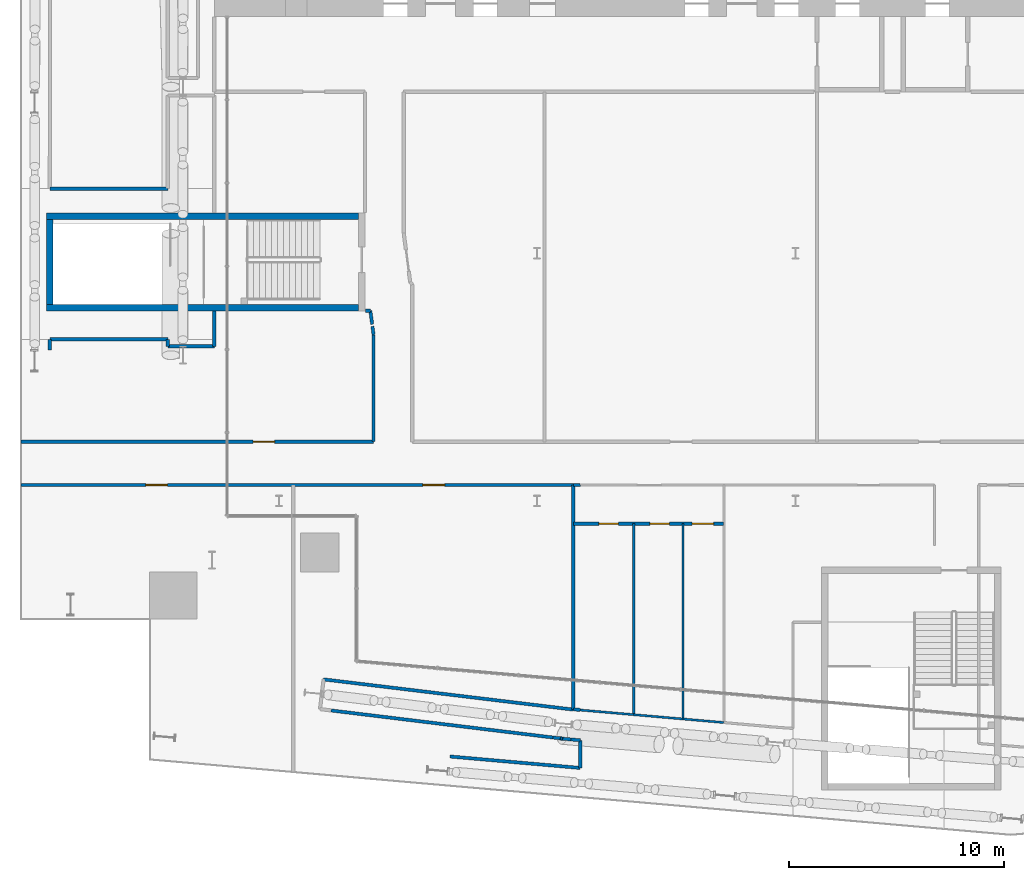
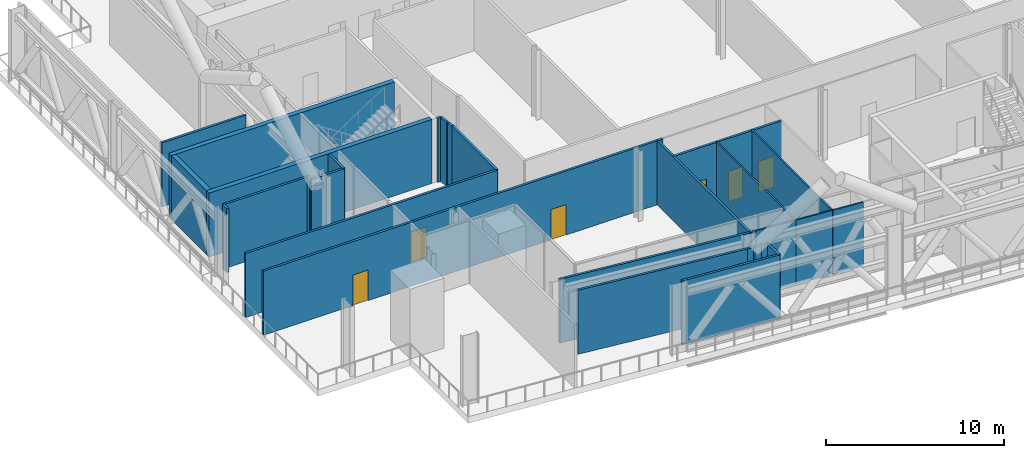
# One storey, part 15 of 39: 32 walls, 6 doors, 6 openings.
"""IFC4 building model written with IfcOpenShell, lengths in metres."""

from ifc_helpers import new_model, si_unit, direction, frame, frame_2d, origin, place, context, subcontext, project, spatial, rectangle, extrude, material, layer, layer_set, type_object, element, fill, save


model = new_model("IFC4")

# Units and contexts
model_context = context("Model", 3, precision=1e-05, world=origin(), true_north=direction((0.0, 1.0)))
body_context = subcontext(model_context, "Body", "Model", "MODEL_VIEW")
ifc_project = project(units=[si_unit("LENGTHUNIT", "METRE"), si_unit("AREAUNIT", "SQUARE_METRE"), si_unit("VOLUMEUNIT", "CUBIC_METRE"), si_unit("PLANEANGLEUNIT", "RADIAN"), si_unit("MASSUNIT", "GRAM", prefix="KILO")], contexts=[model_context])

# Site, building, storey
site_placement = place(None, origin())
site = spatial("IfcSite", under=ifc_project, at=site_placement, CompositionType="ELEMENT")
building_placement = place(site_placement, origin())
building = spatial("IfcBuilding", under=site, at=building_placement, Name="Wharfspan Tower", CompositionType="ELEMENT")
storey_placement = place(building_placement, frame((0.0, 0.0, 91.899902)))
storey = spatial("IfcBuildingStorey", under=building, at=storey_placement, Name="L20", CompositionType="ELEMENT", Elevation=91.899902)

# Walls
ifc_material_1 = material(Name="Gypsum board on steel studs", Category="steel")
ifc_layer_1 = layer(ifc_material_1, 0.100098)
ifc_layer_set_1 = layer_set([ifc_layer_1], Name="Gypsum board on steel studs")
wall_type_1 = type_object("IfcWallType", Name="Partition 100", PredefinedType="PARTITIONING", material=ifc_layer_set_1)
wall_1_placement = place(storey_placement, frame((28.485107, 1.564941, 0.0), z_axis=(0.0, 0.0, 1.0), x_axis=(-0.996271, 0.086228, 0.0)))
element("IfcWall", 1, at=wall_1_placement, inside=storey, type_object=wall_type_1, Name="Partition L20.w049", PredefinedType="PARTITIONING", context=body_context, shape_type="SweptSolid", body=[
    extrude(rectangle(XDim=2.494385, YDim=0.100098, at=frame_2d((1.24707, 0.0))), origin(), (0.0, 0.0, 1.0), 4.400146),
])
wall_2_placement = place(storey_placement, frame((28.485107, 1.564941, 0.0), z_axis=(0.0, 0.0, 1.0), x_axis=(0.0, 1.0, 0.0)))
element("IfcWall", 2, at=wall_2_placement, inside=storey, type_object=wall_type_1, Name="Partition L20.w050", PredefinedType="PARTITIONING", context=body_context, shape_type="SweptSolid", body=[
    extrude(rectangle(XDim=8.870117, YDim=0.100098, at=frame_2d((4.435059, 0.0))), origin(), (0.0, 0.0, 1.0), 4.400146),
])
wall_3_placement = place(storey_placement, frame((30.764893, 1.36499, 0.0), z_axis=(0.0, 0.0, 1.0), x_axis=(-0.996179, 0.087371, 0.0)))
element("IfcWall", 3, at=wall_3_placement, inside=storey, type_object=wall_type_1, Name="Partition L20.w051", PredefinedType="PARTITIONING", context=body_context, shape_type="SweptSolid", body=[
    extrude(rectangle(XDim=2.288574, YDim=0.100098, at=frame_2d((1.144287, 0.0))), origin(), (0.0, 0.0, 1.0), 4.400146),
])
wall_4_placement = place(storey_placement, frame((30.77002, 1.36499, 0.0), z_axis=(0.0, 0.0, 1.0), x_axis=(0.0, 1.0, 0.0)))
element("IfcWall", 4, at=wall_4_placement, inside=storey, type_object=wall_type_1, Name="Partition L20.w052", PredefinedType="PARTITIONING", context=body_context, shape_type="SweptSolid", body=[
    extrude(rectangle(XDim=9.070068, YDim=0.100098, at=frame_2d((4.535156, 0.0))), origin(), (0.0, 0.0, 1.0), 4.400146),
])
wall_5_placement = place(storey_placement, frame((32.665039, 1.199951, 0.0), z_axis=(0.0, 0.0, 1.0), x_axis=(-0.996233, 0.086763, 0.0)))
element("IfcWall", 5, at=wall_5_placement, inside=storey, type_object=wall_type_1, Name="Partition L20.w053", PredefinedType="PARTITIONING", context=body_context, shape_type="SweptSolid", body=[
    extrude(rectangle(XDim=1.9021, YDim=0.100098, at=frame_2d((0.951172, 0.0))), origin(), (0.0, 0.0, 1.0), 4.400146),
])

# Wall, openings, doors
ifc_layer_2 = layer(ifc_material_1, 0.149902)
ifc_layer_set_2 = layer_set([ifc_layer_2], Name="Gypsum board on steel studs")
wall_type_2 = type_object("IfcWallType", Name="Plant room wall 150 EI 120", PredefinedType="PARTITIONING", material=ifc_layer_set_2)
wall_6_placement = place(storey_placement, frame((0.02002, 12.235107, 0.0), z_axis=(0.0, 0.0, 1.0), x_axis=(1.0, 0.0, 0.0)))
wall_6 = element("IfcWall", 6, at=wall_6_placement, inside=storey, type_object=wall_type_2, Name="Partition L20.w001", PredefinedType="PARTITIONING", context=body_context, shape_type="SweptSolid", body=[
    extrude(rectangle(XDim=25.659912, YDim=0.149902, at=frame_2d((12.830078, 0.0))), origin(), (0.0, 0.0, 1.0), 4.400146),
])
opening_1_placement = place(wall_6_placement, frame((5.804932, 0.0, 0.0)))
opening_1 = element("IfcOpeningElement", 7, at=opening_1_placement, cuts=wall_6, Name="Opening BA-06", PredefinedType="OPENING", context=body_context, shape_type="SweptSolid", body=[
    extrude(rectangle(XDim=1.0, YDim=2.100098, at=frame_2d((0.5, 1.050049))), frame((0.0, 0.084961, 0.0), z_axis=(0.0, -1.0, 0.0), x_axis=(1.0, 0.0, 0.0)), (0.0, 0.0, 1.0), 0.169922),
])
opening_2_placement = place(wall_6_placement, frame((18.675049, 0.0, 0.0)))
opening_2 = element("IfcOpeningElement", 8, at=opening_2_placement, cuts=wall_6, Name="Opening BA-07", PredefinedType="OPENING", context=body_context, shape_type="SweptSolid", body=[
    extrude(rectangle(XDim=1.0, YDim=2.100098, at=frame_2d((0.5, 1.050049))), frame((0.0, 0.084961, 0.0), z_axis=(0.0, -1.0, 0.0), x_axis=(1.0, 0.0, 0.0)), (0.0, 0.0, 1.0), 0.169922),
])
ifc_material_2 = material(Name="Fire-rated timber door leaf in steel frame", Category="steel")
door_type_1 = type_object("IfcDoorType", Name="Door 1000 FD60 Left", OperationType="SINGLE_SWING_LEFT", PredefinedType="DOOR", material=ifc_material_2)
door_1_placement = place(opening_1_placement, origin())
door_1 = element("IfcDoor", 9, at=door_1_placement, inside=storey, type_object=door_type_1, Name="Door BA-06", OperationType="SINGLE_SWING_LEFT", OverallHeight=2.100098, OverallWidth=1.0, PredefinedType="DOOR", context=body_context, shape_type="SweptSolid", body=[
    extrude(rectangle(XDim=1.0, YDim=2.100098, at=frame_2d((0.5, 1.050049))), frame((0.0, 0.024902, 0.0), z_axis=(0.0, -1.0, 0.0), x_axis=(1.0, 0.0, 0.0)), (0.0, 0.0, 1.0), 0.050049),
])
fill(opening_1, door_1)
door_type_2 = type_object("IfcDoorType", Name="Door 1000 FD60 Right", OperationType="SINGLE_SWING_RIGHT", PredefinedType="DOOR", material=ifc_material_2)
door_2_placement = place(opening_2_placement, origin())
door_2 = element("IfcDoor", 10, at=door_2_placement, inside=storey, type_object=door_type_2, Name="Door BA-07", OperationType="SINGLE_SWING_RIGHT", OverallHeight=2.100098, OverallWidth=1.0, PredefinedType="DOOR", context=body_context, shape_type="SweptSolid", body=[
    extrude(rectangle(XDim=1.0, YDim=2.100098, at=frame_2d((0.5, 1.050049))), frame((0.0, 0.024902, 0.0), z_axis=(0.0, -1.0, 0.0), x_axis=(1.0, 0.0, 0.0)), (0.0, 0.0, 1.0), 0.050049),
])
fill(opening_2, door_2)

# Wall, opening, door
wall_7_placement = place(storey_placement, frame((0.02002, 14.23999, 0.0), z_axis=(0.0, 0.0, 1.0), x_axis=(1.0, 0.0, 0.0)))
wall_7 = element("IfcWall", 11, at=wall_7_placement, inside=storey, type_object=wall_type_2, Name="Partition L20.w002", PredefinedType="PARTITIONING", context=body_context, shape_type="SweptSolid", body=[
    extrude(rectangle(XDim=16.375, YDim=0.149902, at=frame_2d((8.1875, 0.0))), origin(), (0.0, 0.0, 1.0), 4.400146),
])
opening_3_placement = place(wall_7_placement, frame((10.784668, 0.0, 0.0)))
opening_3 = element("IfcOpeningElement", 12, at=opening_3_placement, cuts=wall_7, Name="Opening BA-13", PredefinedType="OPENING", context=body_context, shape_type="SweptSolid", body=[
    extrude(rectangle(XDim=1.0, YDim=2.100098, at=frame_2d((0.5, 1.050049))), frame((0.0, 0.084961, 0.0), z_axis=(0.0, -1.0, 0.0), x_axis=(1.0, 0.0, 0.0)), (0.0, 0.0, 1.0), 0.169922),
])
door_3_placement = place(opening_3_placement, origin())
door_3 = element("IfcDoor", 13, at=door_3_placement, inside=storey, type_object=door_type_2, Name="Door BA-13", OperationType="SINGLE_SWING_RIGHT", OverallHeight=2.100098, OverallWidth=1.0, PredefinedType="DOOR", context=body_context, shape_type="SweptSolid", body=[
    extrude(rectangle(XDim=1.0, YDim=2.100098, at=frame_2d((0.5, 1.050049))), frame((0.0, 0.024902, 0.0), z_axis=(0.0, -1.0, 0.0), x_axis=(1.0, 0.0, 0.0)), (0.0, 0.0, 1.0), 0.050049),
])
fill(opening_3, door_3)

# Walls
wall_8_placement = place(storey_placement, frame((1.360107, 18.504883, 0.0), z_axis=(0.0, 0.0, 1.0), x_axis=(0.0, 1.0, 0.0)))
element("IfcWall", 14, at=wall_8_placement, inside=storey, type_object=wall_type_2, Name="Partition L20.w003", PredefinedType="PARTITIONING", context=body_context, shape_type="SweptSolid", body=[
    extrude(rectangle(XDim=0.495117, YDim=0.149902, at=frame_2d((0.247559, 0.0))), origin(), (0.0, 0.0, 1.0), 4.400146),
])
for number, where, z_axis, x_axis, name in (
    (15, (1.360107, 19.0, 0.0), (0.0, 0.0, 1.0), (1.0, 0.0, 0.0), "Partition L20.w004"),
    (16, (1.360107, 26.0, 0.0), (0.0, 0.0, 1.0), (1.0, 0.0, 0.0), "Partition L20.w006"),
):
    element("IfcWall", number, at=place(storey_placement, frame(where, z_axis=z_axis, x_axis=x_axis)), inside=storey, type_object=wall_type_2, Name=name, PredefinedType="PARTITIONING", context=body_context, shape_type="SweptSolid", body=[
        extrude(rectangle(XDim=5.47998, YDim=0.149902, at=frame_2d((2.73999, 0.0))), origin(), (0.0, 0.0, 1.0), 4.400146),
    ])
wall_9_placement = place(storey_placement, frame((6.840088, 18.675049, 0.0), z_axis=(0.0, 0.0, 1.0), x_axis=(0.0, 1.0, 0.0)))
element("IfcWall", 17, at=wall_9_placement, inside=storey, type_object=wall_type_2, Name="Partition L20.w009", PredefinedType="PARTITIONING", context=body_context, shape_type="SweptSolid", body=[
    extrude(rectangle(XDim=0.324951, YDim=0.149902, at=frame_2d((0.162598, 0.0))), origin(), (0.0, 0.0, 1.0), 4.400146),
])
wall_10_placement = place(storey_placement, frame((6.840088, 18.675049, 0.0), z_axis=(0.0, 0.0, 1.0), x_axis=(1.0, 0.0, 0.0)))
element("IfcWall", 18, at=wall_10_placement, inside=storey, type_object=wall_type_2, Name="Partition L20.w010", PredefinedType="PARTITIONING", context=body_context, shape_type="SweptSolid", body=[
    extrude(rectangle(XDim=2.159912, YDim=0.149902, at=frame_2d((1.080078, 0.0))), origin(), (0.0, 0.0, 1.0), 4.400146),
])
wall_11_placement = place(storey_placement, frame((9.0, 18.675049, 0.0), z_axis=(0.0, 0.0, 1.0), x_axis=(0.0, 1.0, 0.0)))
element("IfcWall", 19, at=wall_11_placement, inside=storey, type_object=wall_type_2, Name="Partition L20.w016", PredefinedType="PARTITIONING", context=body_context, shape_type="SweptSolid", body=[
    extrude(rectangle(XDim=1.629883, YDim=0.149902, at=frame_2d((0.814941, 0.0))), origin(), (0.0, 0.0, 1.0), 4.400146),
])
wall_12_placement = place(storey_placement, frame((16.02002, 20.324951, 0.0), z_axis=(0.0, 0.0, 1.0), x_axis=(1.0, 0.0, 0.0)))
element("IfcWall", 20, at=wall_12_placement, inside=storey, type_object=wall_type_2, Name="Partition L20.w024", PredefinedType="PARTITIONING", context=body_context, shape_type="SweptSolid", body=[
    extrude(rectangle(XDim=0.22998, YDim=0.149902, at=frame_2d((0.11499, 0.0))), origin(), (0.0, 0.0, 1.0), 4.400146),
])
wall_13_placement = place(storey_placement, frame((16.334961, 19.699951, 0.0), z_axis=(0.0, 0.0, 1.0), x_axis=(-0.134699, 0.990889, 0.0)))
element("IfcWall", 21, at=wall_13_placement, inside=storey, type_object=wall_type_2, Name="Partition L20.w025", PredefinedType="PARTITIONING", context=body_context, shape_type="SweptSolid", body=[
    extrude(rectangle(XDim=0.630859, YDim=0.149902, at=frame_2d((0.31543, 0.0))), origin(), (0.0, 0.0, 1.0), 4.400146),
])
wall_14_placement = place(storey_placement, frame((16.399902, 14.245117, 0.0), z_axis=(0.0, 0.0, 1.0), x_axis=(0.0, 1.0, 0.0)))
element("IfcWall", 22, at=wall_14_placement, inside=storey, type_object=wall_type_2, Name="Partition L20.w026", PredefinedType="PARTITIONING", context=body_context, shape_type="SweptSolid", body=[
    extrude(rectangle(XDim=4.964844, YDim=0.149902, at=frame_2d((2.482422, 0.0))), origin(), (0.0, 0.0, 1.0), 4.400146),
])
wall_15_placement = place(storey_placement, frame((16.399902, 19.209961, 0.0), z_axis=(0.0, 0.0, 1.0), x_axis=(-0.137735, 0.990468, 0.0)))
element("IfcWall", 23, at=wall_15_placement, inside=storey, type_object=wall_type_2, Name="Partition L20.w027", PredefinedType="PARTITIONING", context=body_context, shape_type="SweptSolid", body=[
    extrude(rectangle(XDim=0.398926, YDim=0.149902, at=frame_2d((0.199463, 0.0))), origin(), (0.0, 0.0, 1.0), 4.400146),
])
wall_16_placement = place(storey_placement, frame((24.725098, 0.504883, 0.0), z_axis=(0.0, 0.0, 1.0), x_axis=(-0.992649, 0.121018, 0.0)))
element("IfcWall", 24, at=wall_16_placement, inside=storey, type_object=wall_type_2, Name="Partition L20.w035", PredefinedType="PARTITIONING", context=body_context, shape_type="SweptSolid", body=[
    extrude(rectangle(XDim=10.371338, YDim=0.149902, at=frame_2d((5.185547, 0.0))), origin(), (0.0, 0.0, 1.0), 4.400146),
])
wall_17_placement = place(storey_placement, frame((25.080078, 0.465088, 0.0), z_axis=(0.0, 0.0, 1.0), x_axis=(-0.993778, 0.111407, 0.0)))
element("IfcWall", 25, at=wall_17_placement, inside=storey, type_object=wall_type_2, Name="Partition L20.w036", PredefinedType="PARTITIONING", context=body_context, shape_type="SweptSolid", body=[
    extrude(rectangle(XDim=0.357178, YDim=0.149902, at=frame_2d((0.178711, 0.0))), origin(), (0.0, 0.0, 1.0), 4.400146),
])
wall_18_placement = place(storey_placement, frame((25.179932, 0.449951, 0.0), z_axis=(0.0, 0.0, 1.0), x_axis=(-0.988705, 0.149877, 0.0)))
element("IfcWall", 26, at=wall_18_placement, inside=storey, type_object=wall_type_2, Name="Partition L20.w037", PredefinedType="PARTITIONING", context=body_context, shape_type="SweptSolid", body=[
    extrude(rectangle(XDim=0.101074, YDim=0.149902, at=frame_2d((0.050537, 0.0))), origin(), (0.0, 0.0, 1.0), 4.400146),
])
wall_19_placement = place(storey_placement, frame((25.560059, 0.415039, 0.0), z_axis=(0.0, 0.0, 1.0), x_axis=(-0.995805, 0.091458, 0.0)))
element("IfcWall", 27, at=wall_19_placement, inside=storey, type_object=wall_type_2, Name="Partition L20.w038", PredefinedType="PARTITIONING", context=body_context, shape_type="SweptSolid", body=[
    extrude(rectangle(XDim=0.381836, YDim=0.149902, at=frame_2d((0.190918, 0.0))), origin(), (0.0, 0.0, 1.0), 4.400146),
])
wall_20_placement = place(storey_placement, frame((25.679932, 1.800049, 0.0), z_axis=(0.0, 0.0, 1.0), x_axis=(-0.992758, 0.12014, 0.0)))
element("IfcWall", 28, at=wall_20_placement, inside=storey, type_object=wall_type_2, Name="Partition L20.w040", PredefinedType="PARTITIONING", context=body_context, shape_type="SweptSolid", body=[
    extrude(rectangle(XDim=11.690918, YDim=0.149902, at=frame_2d((5.845459, 0.0))), origin(), (0.0, 0.0, 1.0), 4.400146),
])
wall_21_placement = place(storey_placement, frame((25.679932, 1.810059, 0.0), z_axis=(0.0, 0.0, 1.0), x_axis=(0.0, 1.0, 0.0)))
element("IfcWall", 29, at=wall_21_placement, inside=storey, type_object=wall_type_2, Name="Partition L20.w041", PredefinedType="PARTITIONING", context=body_context, shape_type="SweptSolid", body=[
    extrude(rectangle(XDim=10.419922, YDim=0.149902, at=frame_2d((5.209961, 0.0))), origin(), (0.0, 0.0, 1.0), 4.400146),
])

# Wall, openings, doors
wall_22_placement = place(storey_placement, frame((25.679932, 10.435059, 0.0), z_axis=(0.0, 0.0, 1.0), x_axis=(1.0, 0.0, 0.0)))
wall_22 = element("IfcWall", 30, at=wall_22_placement, inside=storey, type_object=wall_type_2, Name="Partition L20.w042", PredefinedType="PARTITIONING", context=body_context, shape_type="SweptSolid", body=[
    extrude(rectangle(XDim=6.985107, YDim=0.149902, at=frame_2d((3.492676, 0.0))), origin(), (0.0, 0.0, 1.0), 4.400146),
])
opening_4_placement = place(wall_22_placement, frame((1.190186, 0.0, 0.0)))
opening_4 = element("IfcOpeningElement", 31, at=opening_4_placement, cuts=wall_22, Name="Opening BA-02", PredefinedType="OPENING", context=body_context, shape_type="SweptSolid", body=[
    extrude(rectangle(XDim=0.899902, YDim=2.100098, at=frame_2d((0.449951, 1.050049))), frame((0.0, 0.084961, 0.0), z_axis=(0.0, -1.0, 0.0), x_axis=(1.0, 0.0, 0.0)), (0.0, 0.0, 1.0), 0.169922),
])
opening_5_placement = place(wall_22_placement, frame((3.554932, 0.0, 0.0)))
opening_5 = element("IfcOpeningElement", 32, at=opening_5_placement, cuts=wall_22, Name="Opening BA-03", PredefinedType="OPENING", context=body_context, shape_type="SweptSolid", body=[
    extrude(rectangle(XDim=0.899902, YDim=2.100098, at=frame_2d((0.449951, 1.050049))), frame((0.0, 0.084961, 0.0), z_axis=(0.0, -1.0, 0.0), x_axis=(1.0, 0.0, 0.0)), (0.0, 0.0, 1.0), 0.169922),
])
opening_6_placement = place(wall_22_placement, frame((5.511719, 0.0, 0.0)))
opening_6 = element("IfcOpeningElement", 33, at=opening_6_placement, cuts=wall_22, Name="Opening BA-04", PredefinedType="OPENING", context=body_context, shape_type="SweptSolid", body=[
    extrude(rectangle(XDim=1.0, YDim=2.100098, at=frame_2d((0.5, 1.050049))), frame((0.0, 0.084961, 0.0), z_axis=(0.0, -1.0, 0.0), x_axis=(1.0, 0.0, 0.0)), (0.0, 0.0, 1.0), 0.169922),
])
ifc_material_3 = material(Name="Timber door leaf in steel frame", Category="steel")
door_type_3 = type_object("IfcDoorType", Name="Door 1000 NOT RATED Right", OperationType="SINGLE_SWING_RIGHT", PredefinedType="DOOR", material=ifc_material_3)
door_4_placement = place(opening_6_placement, origin())
door_4 = element("IfcDoor", 34, at=door_4_placement, inside=storey, type_object=door_type_3, Name="Door BA-04", OperationType="SINGLE_SWING_RIGHT", OverallHeight=2.100098, OverallWidth=1.0, PredefinedType="DOOR", context=body_context, shape_type="SweptSolid", body=[
    extrude(rectangle(XDim=1.0, YDim=2.100098, at=frame_2d((0.5, 1.050049))), frame((0.0, 0.024902, 0.0), z_axis=(0.0, -1.0, 0.0), x_axis=(1.0, 0.0, 0.0)), (0.0, 0.0, 1.0), 0.050049),
])
fill(opening_6, door_4)
door_type_4 = type_object("IfcDoorType", Name="Door 900 NOT RATED Left", OperationType="SINGLE_SWING_LEFT", PredefinedType="DOOR", material=ifc_material_3)
door_5_placement = place(opening_4_placement, origin())
door_5 = element("IfcDoor", 35, at=door_5_placement, inside=storey, type_object=door_type_4, Name="Door BA-02", OperationType="SINGLE_SWING_LEFT", OverallHeight=2.100098, OverallWidth=0.899902, PredefinedType="DOOR", context=body_context, shape_type="SweptSolid", body=[
    extrude(rectangle(XDim=0.899902, YDim=2.100098, at=frame_2d((0.449951, 1.050049))), frame((0.0, 0.024902, 0.0), z_axis=(0.0, -1.0, 0.0), x_axis=(1.0, 0.0, 0.0)), (0.0, 0.0, 1.0), 0.050049),
])
fill(opening_4, door_5)
door_type_5 = type_object("IfcDoorType", Name="Door 900 NOT RATED Right", OperationType="SINGLE_SWING_RIGHT", PredefinedType="DOOR", material=ifc_material_3)
door_6_placement = place(opening_5_placement, origin())
door_6 = element("IfcDoor", 36, at=door_6_placement, inside=storey, type_object=door_type_5, Name="Door BA-03", OperationType="SINGLE_SWING_RIGHT", OverallHeight=2.100098, OverallWidth=0.899902, PredefinedType="DOOR", context=body_context, shape_type="SweptSolid", body=[
    extrude(rectangle(XDim=0.899902, YDim=2.100098, at=frame_2d((0.449951, 1.050049))), frame((0.0, 0.024902, 0.0), z_axis=(0.0, -1.0, 0.0), x_axis=(1.0, 0.0, 0.0)), (0.0, 0.0, 1.0), 0.050049),
])
fill(opening_5, door_6)

# Walls
wall_23_placement = place(storey_placement, frame((25.679932, 12.22998, 0.0), z_axis=(0.0, 0.0, 1.0), x_axis=(0.999868, 0.016016, 0.0)))
element("IfcWall", 37, at=wall_23_placement, inside=storey, type_object=wall_type_2, Name="Partition L20.w043", PredefinedType="PARTITIONING", context=body_context, shape_type="SweptSolid", body=[
    extrude(rectangle(XDim=0.320068, YDim=0.149902, at=frame_2d((0.160156, 0.0))), origin(), (0.0, 0.0, 1.0), 4.400146),
])
wall_24_placement = place(storey_placement, frame((26.0, -0.909912, 0.0), z_axis=(0.0, 0.0, 1.0), x_axis=(0.0, 1.0, 0.0)))
element("IfcWall", 38, at=wall_24_placement, inside=storey, type_object=wall_type_2, Name="Partition L20.w044", PredefinedType="PARTITIONING", context=body_context, shape_type="SweptSolid", body=[
    extrude(rectangle(XDim=1.284912, YDim=0.149902, at=frame_2d((0.642578, 0.0))), origin(), (0.0, 0.0, 1.0), 4.400146),
])
wall_25_placement = place(storey_placement, frame((26.0, -0.909912, 0.0), z_axis=(0.0, 0.0, 1.0), x_axis=(-0.996159, 0.087597, 0.0)))
element("IfcWall", 39, at=wall_25_placement, inside=storey, type_object=wall_type_2, Name="Partition L20.w045", PredefinedType="PARTITIONING", context=body_context, shape_type="SweptSolid", body=[
    extrude(rectangle(XDim=6.067627, YDim=0.149902, at=frame_2d((3.033691, 0.0))), origin(), (0.0, 0.0, 1.0), 4.400146),
])
wall_26_placement = place(storey_placement, frame((26.0, 0.375, 0.0), z_axis=(0.0, 0.0, 1.0), x_axis=(-0.99588, 0.090635, 0.0)))
element("IfcWall", 40, at=wall_26_placement, inside=storey, type_object=wall_type_2, Name="Partition L20.w046", PredefinedType="PARTITIONING", context=body_context, shape_type="SweptSolid", body=[
    extrude(rectangle(XDim=0.44165, YDim=0.149902, at=frame_2d((0.220703, 0.0))), origin(), (0.0, 0.0, 1.0), 4.400146),
])
wall_27_placement = place(storey_placement, frame((26.0, 1.784912, 0.0), z_axis=(0.0, 0.0, 1.0), x_axis=(-0.996932, 0.078325, 0.0)))
element("IfcWall", 41, at=wall_27_placement, inside=storey, type_object=wall_type_2, Name="Partition L20.w048", PredefinedType="PARTITIONING", context=body_context, shape_type="SweptSolid", body=[
    extrude(rectangle(XDim=0.321045, YDim=0.149902, at=frame_2d((0.160645, 0.0))), origin(), (0.0, 0.0, 1.0), 4.400146),
])
ifc_material_4 = material(Name="Concrete C40/50", Category="concrete")
ifc_layer_3 = layer(ifc_material_4, 0.300049)
ifc_layer_set_3 = layer_set([ifc_layer_3], Name="Concrete C40/50")
wall_type_3 = type_object("IfcWallType", Name="Stair core wall 300", PredefinedType="SHEAR", material=ifc_layer_set_3)
for number, where, z_axis, x_axis, name in (
    (42, (1.199951, 20.475098, 0.0), (0.0, 0.0, 1.0), (1.0, 0.0, 0.0), "ST3 stair enclosure wall L20"),
    (43, (1.199951, 24.725098, 0.0), (0.0, 0.0, 1.0), (1.0, 0.0, 0.0), "ST3 stair enclosure wall L20"),
):
    element("IfcWall", number, at=place(storey_placement, frame(where, z_axis=z_axis, x_axis=x_axis)), inside=storey, type_object=wall_type_3, Name=name, PredefinedType="SHEAR", context=body_context, shape_type="SweptSolid", body=[
        extrude(rectangle(XDim=14.5, YDim=0.300049, at=frame_2d((7.25, 0.0))), origin(), (0.0, 0.0, 1.0), 4.400146),
    ])
wall_28_placement = place(storey_placement, frame((1.350098, 20.625, 0.0), z_axis=(0.0, 0.0, 1.0), x_axis=(0.0, 1.0, 0.0)))
element("IfcWall", 44, at=wall_28_placement, inside=storey, type_object=wall_type_3, Name="ST3 stair enclosure wall L20", PredefinedType="SHEAR", context=body_context, shape_type="SweptSolid", body=[
    extrude(rectangle(XDim=3.949951, YDim=0.300049, at=frame_2d((1.975098, 0.0))), origin(), (0.0, 0.0, 1.0), 4.400146),
])

save(model, "model.ifc")
